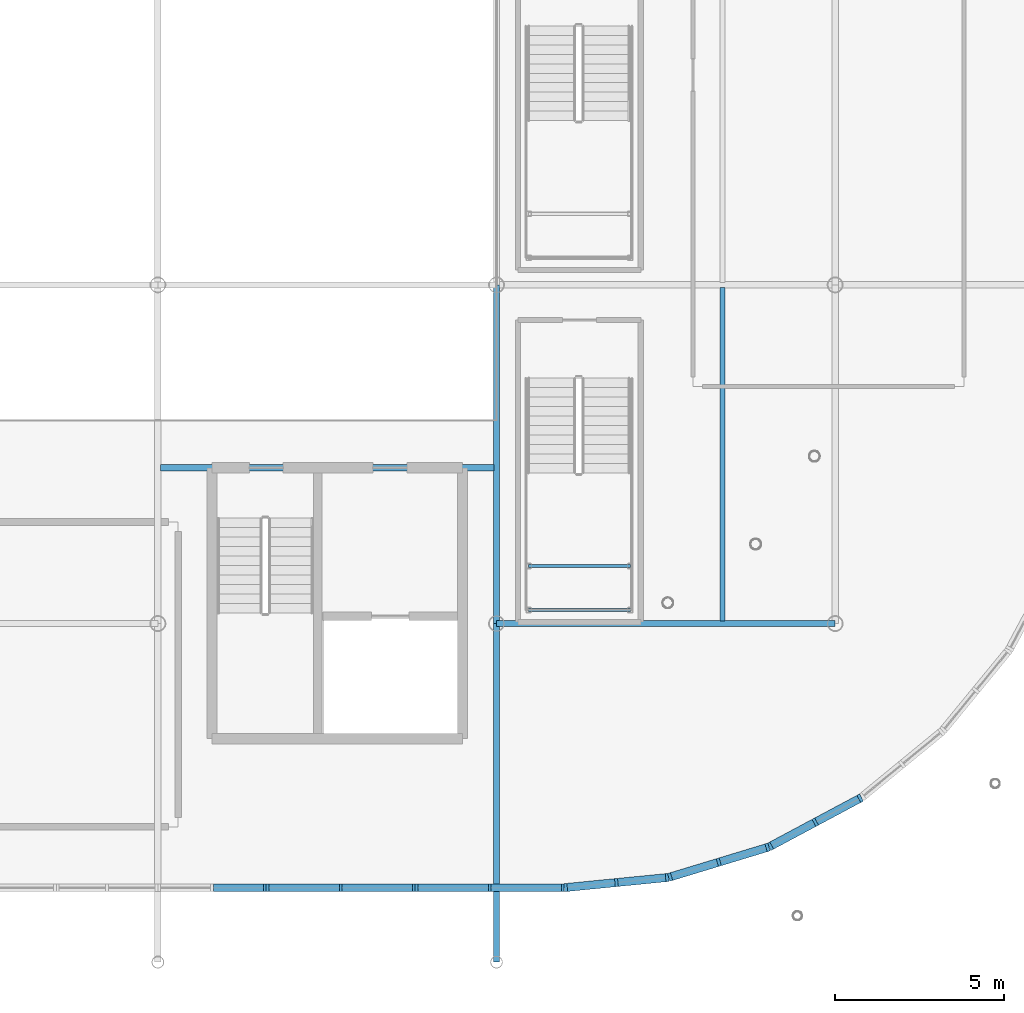
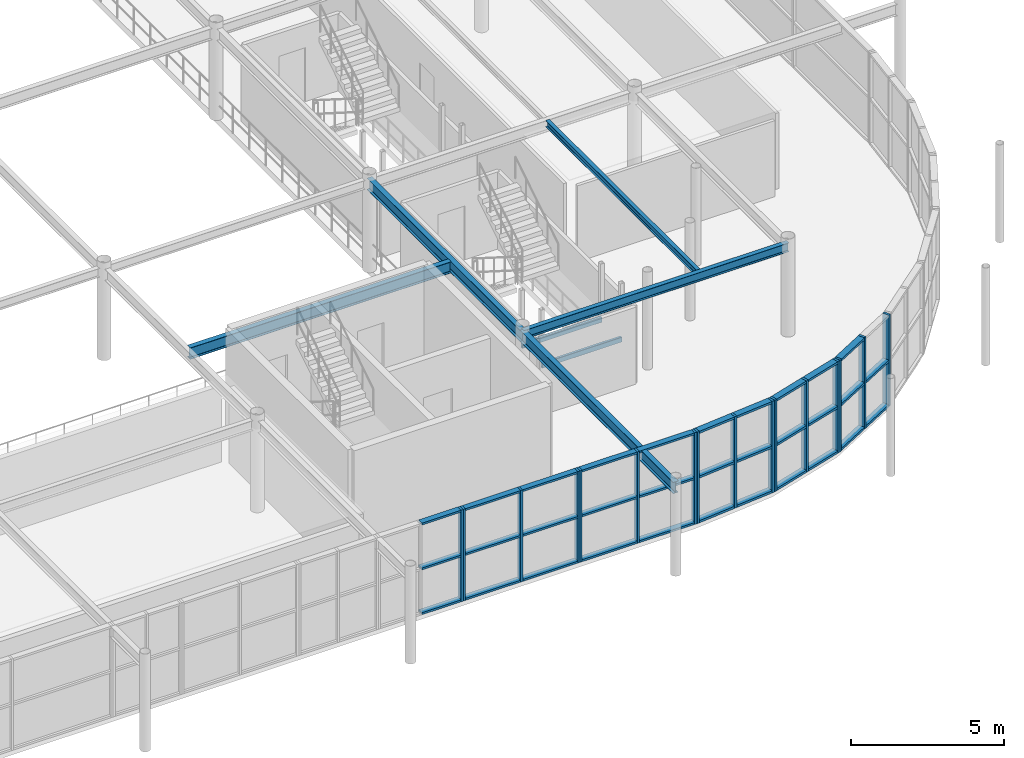
# One storey, part 58 of 98: 48 members, 7 beams, 6 elements without a shape of their own.
"""IFC4 building model written with IfcOpenShell, lengths in metres."""

from ifc_helpers import new_model, si_unit, derived_unit, direction, frame, origin, origin_2d_with_axis, place, context, subcontext, project, spatial, rectangle, hollow_rectangle, i_section, extrude, material, material_profile, profile_set, type_object, element, aggregate, save


model = new_model("IFC4")

# Units and contexts
model_context = context("Model", 3, precision=1e-05, world=origin(), true_north=direction((0.0, 1.0)))
body_context = subcontext(model_context, "Body", "Model", "MODEL_VIEW")
ifc_project = project(units=[si_unit("LENGTHUNIT", "METRE"), si_unit("AREAUNIT", "SQUARE_METRE"), si_unit("VOLUMEUNIT", "CUBIC_METRE"), si_unit("PLANEANGLEUNIT", "RADIAN"), si_unit("MASSUNIT", "GRAM", prefix="KILO"), derived_unit("THERMALTRANSMITTANCEUNIT", [(si_unit("POWERUNIT", "WATT"), 1), (si_unit("LENGTHUNIT", "METRE"), -2), (si_unit("THERMODYNAMICTEMPERATUREUNIT", "KELVIN"), -1)])], contexts=[model_context])

# Site, building, storey
site_placement = place(None, origin())
site = spatial("IfcSite", under=ifc_project, at=site_placement, CompositionType="ELEMENT")
building_placement = place(site_placement, origin())
building = spatial("IfcBuilding", under=site, at=building_placement, Name="Cinnabar Yard Market Hall", CompositionType="ELEMENT")
storey_placement = place(building_placement, frame((0.0, 0.0, 4.5)))
storey = spatial("IfcBuildingStorey", under=building, at=storey_placement, Name="L01", CompositionType="ELEMENT", Elevation=4.5)

# Beams
ifc_material_1 = material(Name="Steel Grade 300 (300 MPa)", Category="steel")
ifc_material_profile_1 = material_profile(ifc_material_1, i_section(OverallWidth=0.18994140625, OverallDepth=0.453857421875, WebThickness=0.008544921875, FlangeThickness=0.0126953125, FilletRadius=0.011474609375, at=origin_2d_with_axis()), Name="460UB67.1")
ifc_profile_set_1 = profile_set([ifc_material_profile_1], Name="Steel Grade 300 (300 MPa)")
beam_type_1 = type_object("IfcBeamType", Name="BM-B05", PredefinedType="BEAM", material=ifc_profile_set_1)
beam_1_placement = place(storey_placement, frame((136.080078125, 28.60009765625, 3.423095703125), z_axis=(1.0, 0.0, 0.0), x_axis=(0.0, 1.0, 0.0)))
element("IfcBeam", 1, at=beam_1_placement, inside=storey, type_object=beam_type_1, Name="L01 Core Trimmer Girder 00142", PredefinedType="BEAM", context=body_context, shape_type="SweptSolid", body=[
    extrude(i_section(OverallWidth=0.18994140625, OverallDepth=0.453857421875, WebThickness=0.008544921875, FlangeThickness=0.0126953125, FilletRadius=0.011474609375, at=origin_2d_with_axis()), origin(), (0.0, 0.0, 1.0), 9.83984375),
])
beam_2_placement = place(storey_placement, frame((146.0, 24.0, 3.423095703125), z_axis=(0.0, 1.0, 0.0), x_axis=(-1.0, 0.0, 0.0)))
element("IfcBeam", 2, at=beam_2_placement, inside=storey, type_object=beam_type_1, Name="L01 Gallery Girder Y 00342", PredefinedType="BEAM", context=body_context, shape_type="SweptSolid", body=[
    extrude(i_section(OverallWidth=0.18994140625, OverallDepth=0.453857421875, WebThickness=0.008544921875, FlangeThickness=0.0126953125, FilletRadius=0.011474609375, at=origin_2d_with_axis()), origin(), (0.0, 0.0, 1.0), 10.0),
])
ifc_material_profile_2 = material_profile(ifc_material_1, i_section(OverallWidth=0.18994140625, OverallDepth=0.453857421875, WebThickness=0.008544921875, FlangeThickness=0.0126953125, FilletRadius=0.011474609375, at=origin_2d_with_axis()), Name="460UB67.1")
ifc_profile_set_2 = profile_set([ifc_material_profile_2], Name="Steel Grade 300 (300 MPa)")
beam_type_2 = type_object("IfcBeamType", Name="BM-B05E", PredefinedType="BEAM", material=ifc_profile_set_2)
beam_3_placement = place(storey_placement, frame((146.0, 24.0, 3.423095703125), z_axis=(0.0, -1.0, 0.0), x_axis=(1.0, 0.0, 0.0)))
element("IfcBeam", 3, at=beam_3_placement, inside=storey, type_object=beam_type_2, Name="L01 Gallery South Tie 00299", PredefinedType="BEAM", context=body_context, shape_type="SweptSolid", body=[
    extrude(i_section(OverallWidth=0.18994140625, OverallDepth=0.453857421875, WebThickness=0.008544921875, FlangeThickness=0.0126953125, FilletRadius=0.011474609375, at=origin_2d_with_axis()), origin(), (0.0, 0.0, 1.0), 10.0),
])
ifc_material_profile_3 = material_profile(ifc_material_1, i_section(OverallWidth=0.1708984375, OverallDepth=0.35205078125, WebThickness=0.0068359375, FlangeThickness=0.009765625, FilletRadius=0.011474609375, at=origin_2d_with_axis()), Name="360UB44.7")
ifc_profile_set_3 = profile_set([ifc_material_profile_3], Name="Steel Grade 300 (300 MPa)")
beam_type_3 = type_object("IfcBeamType", Name="BM-B11", PredefinedType="BEAM", material=ifc_profile_set_3)
beam_4_placement = place(storey_placement, frame((146.0, 24.0, 3.47412109375), z_axis=(1.0, 0.0, 0.0), x_axis=(0.0, 1.0, 0.0)))
element("IfcBeam", 4, at=beam_4_placement, inside=storey, type_object=beam_type_3, Name="L01 Gallery Girder X 00282", PredefinedType="BEAM", context=body_context, shape_type="SweptSolid", body=[
    extrude(i_section(OverallWidth=0.1708984375, OverallDepth=0.35205078125, WebThickness=0.0068359375, FlangeThickness=0.009765625, FilletRadius=0.011474609375, at=origin_2d_with_axis()), origin(), (0.0, 0.0, 1.0), 10.0),
])
ifc_material_profile_4 = material_profile(ifc_material_1, i_section(OverallWidth=0.14599609375, OverallDepth=0.256103515625, WebThickness=0.00634765625, FlangeThickness=0.010986328125, FilletRadius=0.0087890625, at=origin_2d_with_axis()), Name="250UB37.3")
ifc_profile_set_4 = profile_set([ifc_material_profile_4], Name="Steel Grade 300 (300 MPa)")
beam_type_4 = type_object("IfcBeamType", Name="BM-J03", PredefinedType="JOIST", material=ifc_profile_set_4)
beam_5_placement = place(storey_placement, frame((152.669921875, 24.074951171875, 3.52197265625), z_axis=(0.0, 1.0, 0.0), x_axis=(-1.0, 0.0, 0.0)))
element("IfcBeam", 5, at=beam_5_placement, inside=storey, type_object=beam_type_4, Name="L01 Gallery Joist 00343", PredefinedType="JOIST", context=body_context, shape_type="SweptSolid", body=[
    extrude(i_section(OverallWidth=0.14599609375, OverallDepth=0.256103515625, WebThickness=0.00634765625, FlangeThickness=0.010986328125, FilletRadius=0.0087890625, at=origin_2d_with_axis()), origin(), (0.0, 0.0, 1.0), 9.85009765625),
])
ifc_material_2 = material(Name="Cold-formed steel C350L0", Category="steel")
ifc_material_profile_5 = material_profile(ifc_material_2, hollow_rectangle(XDim=0.10009765625, YDim=0.199951171875, WallThickness=0.006103515625, InnerFilletRadius=0.006103515625, OuterFilletRadius=0.011962890625, at=origin_2d_with_axis()), Name="200x100x6.0RHS")
ifc_profile_set_5 = profile_set([ifc_material_profile_5], Name="Cold-formed steel C350L0")
beam_type_5 = type_object("IfcBeamType", Name="BM-LN01", PredefinedType="LINTEL", material=ifc_profile_set_5)
for number, where, z_axis, x_axis, name in (
    (6, (146.949951171875, 24.39990234375, 1.64990234375), (1.0, 0.0, 0.0), (0.0, 1.0, 0.0), "Feature Stair Landing Beam S ST-F5 L01"),
    (7, (146.949951171875, 25.699951171875, 1.64990234375), (1.0, 0.0, 0.0), (0.0, 1.0, 0.0), "Feature Stair Landing Beam N ST-F5 L01"),
):
    element("IfcBeam", number, at=place(storey_placement, frame(where, z_axis=z_axis, x_axis=x_axis)), inside=storey, type_object=beam_type_5, Name=name, PredefinedType="LINTEL", context=body_context, shape_type="SweptSolid", body=[
        extrude(hollow_rectangle(XDim=0.10009765625, YDim=0.199951171875, WallThickness=0.006103515625, InnerFilletRadius=0.006103515625, OuterFilletRadius=0.011962890625, at=origin_2d_with_axis()), origin(), (0.0, 0.0, 1.0), 3.0),
    ])

# Curtain wall, members
ifc_material_3 = material(Name="Anodised bronze aluminium curved-chord facade", Category="aluminium")
curtain_wall_type_1 = type_object("IfcCurtainWallType", Name="CW-CWC031x36", PredefinedType="NOTDEFINED", material=ifc_material_3)
curtain_wall_1_placement = place(storey_placement, origin())
curtain_wall_1 = element("IfcCurtainWall", 8, at=curtain_wall_1_placement, inside=storey, type_object=curtain_wall_type_1, Name="Corner SE Chord 1 L01", PredefinedType="NOTDEFINED")
ifc_material_4 = material(Name="Anodised bronze aluminium", Category="aluminium")
ifc_material_profile_6 = material_profile(ifc_material_4, rectangle(XDim=0.239990234375, YDim=0.090087890625, at=origin_2d_with_axis()), Name="MUL-CWC")
ifc_profile_set_6 = profile_set([ifc_material_profile_6], Name="Anodised bronze aluminium")
member_type_1 = type_object("IfcMemberType", Name="CWM-CWC", PredefinedType="MULLION", material=ifc_profile_set_6)
member_1_placement = place(storey_placement, frame((148.044677734375, 16.204345703125, 0.0), z_axis=(0.0, 0.0, 1.0), x_axis=(-0.098020369342, 0.995184408637, 0.0)))
member_1 = element("IfcMember", 9, at=member_1_placement, type_object=member_type_1, Name="CWC031x36 mullion 1", PredefinedType="MULLION", context=body_context, shape_type="SweptSolid", body=[
    extrude(rectangle(XDim=0.239990234375, YDim=0.090087890625, at=origin_2d_with_axis()), origin(), (0.0, 0.0, 1.0), 3.64990234375),
])
member_2_placement = place(storey_placement, frame((149.541259765625, 16.351806640625, 0.0), z_axis=(0.0, 0.0, 1.0), x_axis=(-0.098020369342, 0.995184408637, 0.0)))
member_2 = element("IfcMember", 10, at=member_2_placement, type_object=member_type_1, Name="CWC031x36 mullion 2", PredefinedType="MULLION", context=body_context, shape_type="SweptSolid", body=[
    extrude(rectangle(XDim=0.239990234375, YDim=0.090087890625, at=origin_2d_with_axis()), origin(), (0.0, 0.0, 1.0), 3.64990234375),
])
member_3_placement = place(storey_placement, frame((151.03759765625, 16.499267578125, 0.0), z_axis=(0.0, 0.0, 1.0), x_axis=(-0.098020369342, 0.995184408637, 0.0)))
member_3 = element("IfcMember", 11, at=member_3_placement, type_object=member_type_1, Name="CWC031x36 mullion 3", PredefinedType="MULLION", context=body_context, shape_type="SweptSolid", body=[
    extrude(rectangle(XDim=0.239990234375, YDim=0.090087890625, at=origin_2d_with_axis()), origin(), (0.0, 0.0, 1.0), 3.64990234375),
])

curtain_wall_2_placement = place(storey_placement, origin())
curtain_wall_2 = element("IfcCurtainWall", 12, at=curtain_wall_2_placement, inside=storey, type_object=curtain_wall_type_1, Name="Corner SE Chord 2 L01", PredefinedType="NOTDEFINED")
member_4_placement = place(storey_placement, frame((151.12548828125, 16.5166015625, 0.0), z_axis=(0.0, 0.0, 1.0), x_axis=(-0.290278891325, 0.956942090856, 0.0)))
member_4 = element("IfcMember", 13, at=member_4_placement, type_object=member_type_1, Name="CWC031x36 mullion 1", PredefinedType="MULLION", context=body_context, shape_type="SweptSolid", body=[
    extrude(rectangle(XDim=0.239990234375, YDim=0.090087890625, at=origin_2d_with_axis()), origin(), (0.0, 0.0, 1.0), 3.64990234375),
])
member_5_placement = place(storey_placement, frame((152.564453125, 16.953125, 0.0), z_axis=(0.0, 0.0, 1.0), x_axis=(-0.290278891325, 0.956942090856, 0.0)))
member_5 = element("IfcMember", 14, at=member_5_placement, type_object=member_type_1, Name="CWC031x36 mullion 2", PredefinedType="MULLION", context=body_context, shape_type="SweptSolid", body=[
    extrude(rectangle(XDim=0.239990234375, YDim=0.090087890625, at=origin_2d_with_axis()), origin(), (0.0, 0.0, 1.0), 3.64990234375),
])
member_6_placement = place(storey_placement, frame((154.00341796875, 17.3896484375, 0.0), z_axis=(0.0, 0.0, 1.0), x_axis=(-0.290278891325, 0.956942090856, 0.0)))
member_6 = element("IfcMember", 15, at=member_6_placement, type_object=member_type_1, Name="CWC031x36 mullion 3", PredefinedType="MULLION", context=body_context, shape_type="SweptSolid", body=[
    extrude(rectangle(XDim=0.239990234375, YDim=0.090087890625, at=origin_2d_with_axis()), origin(), (0.0, 0.0, 1.0), 3.64990234375),
])

curtain_wall_3_placement = place(storey_placement, origin())
curtain_wall_3 = element("IfcCurtainWall", 16, at=curtain_wall_3_placement, inside=storey, type_object=curtain_wall_type_1, Name="Corner SE Chord 3 L01", PredefinedType="NOTDEFINED")
member_7_placement = place(storey_placement, frame((154.086181640625, 17.423828125, 0.0), z_axis=(0.0, 0.0, 1.0), x_axis=(-0.471404114786, 0.881917320707, 0.0)))
member_7 = element("IfcMember", 17, at=member_7_placement, type_object=member_type_1, Name="CWC031x36 mullion 1", PredefinedType="MULLION", context=body_context, shape_type="SweptSolid", body=[
    extrude(rectangle(XDim=0.239990234375, YDim=0.090087890625, at=origin_2d_with_axis()), origin(), (0.0, 0.0, 1.0), 3.64990234375),
])
member_8_placement = place(storey_placement, frame((155.412109375, 18.1328125, 0.0), z_axis=(0.0, 0.0, 1.0), x_axis=(-0.471404114786, 0.881917320707, 0.0)))
member_8 = element("IfcMember", 18, at=member_8_placement, type_object=member_type_1, Name="CWC031x36 mullion 2", PredefinedType="MULLION", context=body_context, shape_type="SweptSolid", body=[
    extrude(rectangle(XDim=0.239990234375, YDim=0.090087890625, at=origin_2d_with_axis()), origin(), (0.0, 0.0, 1.0), 3.64990234375),
])
member_9_placement = place(storey_placement, frame((156.73828125, 18.841552734375, 0.0), z_axis=(0.0, 0.0, 1.0), x_axis=(-0.471404114786, 0.881917320707, 0.0)))
member_9 = element("IfcMember", 19, at=member_9_placement, type_object=member_type_1, Name="CWC031x36 mullion 3", PredefinedType="MULLION", context=body_context, shape_type="SweptSolid", body=[
    extrude(rectangle(XDim=0.239990234375, YDim=0.090087890625, at=origin_2d_with_axis()), origin(), (0.0, 0.0, 1.0), 3.64990234375),
])

# Curtain wall, member
ifc_material_5 = material(Name="Anodised bronze aluminium and low-E glass", Category="aluminium")
curtain_wall_type_2 = type_object("IfcCurtainWallType", Name="CW-CWH032x36", PredefinedType="NOTDEFINED", material=ifc_material_5)
curtain_wall_4_placement = place(storey_placement, origin())
curtain_wall_4 = element("IfcCurtainWall", 20, at=curtain_wall_4_placement, inside=storey, type_object=curtain_wall_type_2, Name="Market Hall South Gallery Glazing B6A", PredefinedType="NOTDEFINED")
ifc_material_profile_7 = material_profile(ifc_material_4, rectangle(XDim=0.219970703125, YDim=0.080078125, at=origin_2d_with_axis()), Name="MUL-CWH")
ifc_profile_set_7 = profile_set([ifc_material_profile_7], Name="Anodised bronze aluminium")
member_type_2 = type_object("IfcMemberType", Name="CWM-CWH", PredefinedType="MULLION", material=ifc_profile_set_7)
member_10_placement = place(storey_placement, frame((139.159912109375, 16.199951171875, 0.0), z_axis=(0.0, 0.0, 1.0), x_axis=(0.0, 1.0, 0.0)))
member_10 = element("IfcMember", 21, at=member_10_placement, type_object=member_type_2, Name="CWH032x36 mullion 3", PredefinedType="MULLION", context=body_context, shape_type="SweptSolid", body=[
    extrude(rectangle(XDim=0.219970703125, YDim=0.080078125, at=origin_2d_with_axis()), origin(), (0.0, 0.0, 1.0), 3.64990234375),
])

# Curtain wall, members
curtain_wall_type_3 = type_object("IfcCurtainWallType", Name="CW-CWH044x36", PredefinedType="NOTDEFINED", material=ifc_material_5)
curtain_wall_5_placement = place(storey_placement, origin())
curtain_wall_5 = element("IfcCurtainWall", 22, at=curtain_wall_5_placement, inside=storey, type_object=curtain_wall_type_3, Name="Market Hall South Gallery Glazing PTE", PredefinedType="NOTDEFINED")
member_11_placement = place(storey_placement, frame((139.239990234375, 16.199951171875, 0.0), z_axis=(0.0, 0.0, 1.0), x_axis=(0.0, 1.0, 0.0)))
member_11 = element("IfcMember", 23, at=member_11_placement, type_object=member_type_2, Name="CWH044x36 mullion 1", PredefinedType="MULLION", context=body_context, shape_type="SweptSolid", body=[
    extrude(rectangle(XDim=0.219970703125, YDim=0.080078125, at=origin_2d_with_axis()), origin(), (0.0, 0.0, 1.0), 3.64990234375),
])
member_12_placement = place(storey_placement, frame((141.39990234375, 16.199951171875, 0.0), z_axis=(0.0, 0.0, 1.0), x_axis=(0.0, 1.0, 0.0)))
member_12 = element("IfcMember", 24, at=member_12_placement, type_object=member_type_2, Name="CWH044x36 mullion 2", PredefinedType="MULLION", context=body_context, shape_type="SweptSolid", body=[
    extrude(rectangle(XDim=0.219970703125, YDim=0.080078125, at=origin_2d_with_axis()), origin(), (0.0, 0.0, 1.0), 3.64990234375),
])
member_13_placement = place(storey_placement, frame((143.56005859375, 16.199951171875, 0.0), z_axis=(0.0, 0.0, 1.0), x_axis=(0.0, 1.0, 0.0)))
member_13 = element("IfcMember", 25, at=member_13_placement, type_object=member_type_2, Name="CWH044x36 mullion 3", PredefinedType="MULLION", context=body_context, shape_type="SweptSolid", body=[
    extrude(rectangle(XDim=0.219970703125, YDim=0.080078125, at=origin_2d_with_axis()), origin(), (0.0, 0.0, 1.0), 3.64990234375),
])

curtain_wall_6_placement = place(storey_placement, origin())
curtain_wall_6 = element("IfcCurtainWall", 26, at=curtain_wall_6_placement, inside=storey, type_object=curtain_wall_type_3, Name="Market Hall South Gallery Glazing B6B", PredefinedType="NOTDEFINED")
member_14_placement = place(storey_placement, frame((143.639892578125, 16.199951171875, 0.0), z_axis=(0.0, 0.0, 1.0), x_axis=(0.0, 1.0, 0.0)))
member_14 = element("IfcMember", 27, at=member_14_placement, type_object=member_type_2, Name="CWH044x36 mullion 1", PredefinedType="MULLION", context=body_context, shape_type="SweptSolid", body=[
    extrude(rectangle(XDim=0.219970703125, YDim=0.080078125, at=origin_2d_with_axis()), origin(), (0.0, 0.0, 1.0), 3.64990234375),
])
member_15_placement = place(storey_placement, frame((145.800048828125, 16.199951171875, 0.0), z_axis=(0.0, 0.0, 1.0), x_axis=(0.0, 1.0, 0.0)))
member_15 = element("IfcMember", 28, at=member_15_placement, type_object=member_type_2, Name="CWH044x36 mullion 2", PredefinedType="MULLION", context=body_context, shape_type="SweptSolid", body=[
    extrude(rectangle(XDim=0.219970703125, YDim=0.080078125, at=origin_2d_with_axis()), origin(), (0.0, 0.0, 1.0), 3.64990234375),
])
member_16_placement = place(storey_placement, frame((147.9599609375, 16.199951171875, 0.0), z_axis=(0.0, 0.0, 1.0), x_axis=(0.0, 1.0, 0.0)))
member_16 = element("IfcMember", 29, at=member_16_placement, type_object=member_type_2, Name="CWH044x36 mullion 3", PredefinedType="MULLION", context=body_context, shape_type="SweptSolid", body=[
    extrude(rectangle(XDim=0.219970703125, YDim=0.080078125, at=origin_2d_with_axis()), origin(), (0.0, 0.0, 1.0), 3.64990234375),
])

# Member
ifc_material_profile_8 = material_profile(ifc_material_4, rectangle(XDim=0.239990234375, YDim=0.090087890625, at=origin_2d_with_axis()), Name="TRN-CWC")
ifc_profile_set_8 = profile_set([ifc_material_profile_8], Name="Anodised bronze aluminium")
member_type_3 = type_object("IfcMemberType", Name="CWT-CWC", PredefinedType="USERDEFINED", material=ifc_profile_set_8)
member_17_placement = place(storey_placement, frame((148.089599609375, 16.208740234375, 0.044921875), z_axis=(0.995176425197, 0.098101390058, 0.0), x_axis=(-0.098101390058, 0.995176425197, 0.0)))
member_17 = element("IfcMember", 30, at=member_17_placement, type_object=member_type_3, Name="CWC031x36 transom 1.1", ObjectType="TRANSOM", PredefinedType="USERDEFINED", context=body_context, shape_type="SweptSolid", body=[
    extrude(rectangle(XDim=0.239990234375, YDim=0.090087890625, at=origin_2d_with_axis()), origin(), (0.0, 0.0, 1.0), 1.41357421875),
])

member_18_placement = place(storey_placement, frame((148.089599609375, 16.208740234375, 1.824951171875), z_axis=(0.995176425197, 0.098101390058, 0.0), x_axis=(-0.098101390058, 0.995176425197, 0.0)))
member_18 = element("IfcMember", 31, at=member_18_placement, type_object=member_type_3, Name="CWC031x36 transom 1.2", ObjectType="TRANSOM", PredefinedType="USERDEFINED", context=body_context, shape_type="SweptSolid", body=[
    extrude(rectangle(XDim=0.239990234375, YDim=0.090087890625, at=origin_2d_with_axis()), origin(), (0.0, 0.0, 1.0), 1.41357421875),
])

member_19_placement = place(storey_placement, frame((148.089599609375, 16.208740234375, 3.60498046875), z_axis=(0.995176425197, 0.098101390058, 0.0), x_axis=(-0.098101390058, 0.995176425197, 0.0)))
member_19 = element("IfcMember", 32, at=member_19_placement, type_object=member_type_3, Name="CWC031x36 transom 1.3", ObjectType="TRANSOM", PredefinedType="USERDEFINED", context=body_context, shape_type="SweptSolid", body=[
    extrude(rectangle(XDim=0.239990234375, YDim=0.090087890625, at=origin_2d_with_axis()), origin(), (0.0, 0.0, 1.0), 1.41357421875),
])

member_20_placement = place(storey_placement, frame((149.5859375, 16.356201171875, 0.044921875), z_axis=(0.995178086946, 0.098084531214, 0.0), x_axis=(-0.098084531214, 0.995178086946, 0.0)))
member_20 = element("IfcMember", 33, at=member_20_placement, type_object=member_type_3, Name="CWC031x36 transom 2.1", ObjectType="TRANSOM", PredefinedType="USERDEFINED", context=body_context, shape_type="SweptSolid", body=[
    extrude(rectangle(XDim=0.239990234375, YDim=0.090087890625, at=origin_2d_with_axis()), origin(), (0.0, 0.0, 1.0), 1.413818359375),
])

member_21_placement = place(storey_placement, frame((149.5859375, 16.356201171875, 1.824951171875), z_axis=(0.995178086946, 0.098084531214, 0.0), x_axis=(-0.098084531214, 0.995178086946, 0.0)))
member_21 = element("IfcMember", 34, at=member_21_placement, type_object=member_type_3, Name="CWC031x36 transom 2.2", ObjectType="TRANSOM", PredefinedType="USERDEFINED", context=body_context, shape_type="SweptSolid", body=[
    extrude(rectangle(XDim=0.239990234375, YDim=0.090087890625, at=origin_2d_with_axis()), origin(), (0.0, 0.0, 1.0), 1.413818359375),
])

member_22_placement = place(storey_placement, frame((149.5859375, 16.356201171875, 3.60498046875), z_axis=(0.995178086946, 0.098084531214, 0.0), x_axis=(-0.098084531214, 0.995178086946, 0.0)))
member_22 = element("IfcMember", 35, at=member_22_placement, type_object=member_type_3, Name="CWC031x36 transom 2.3", ObjectType="TRANSOM", PredefinedType="USERDEFINED", context=body_context, shape_type="SweptSolid", body=[
    extrude(rectangle(XDim=0.239990234375, YDim=0.090087890625, at=origin_2d_with_axis()), origin(), (0.0, 0.0, 1.0), 1.413818359375),
])

aggregate(curtain_wall_1, [member_1, member_2, member_3, member_17, member_18, member_19, member_20, member_21, member_22])

member_23_placement = place(storey_placement, frame((151.16845703125, 16.52978515625, 0.044921875), z_axis=(0.956932850279, 0.290309352341, 0.0), x_axis=(-0.290309352341, 0.956932850279, 0.0)))
member_23 = element("IfcMember", 36, at=member_23_placement, type_object=member_type_3, Name="CWC031x36 transom 1.1", ObjectType="TRANSOM", PredefinedType="USERDEFINED", context=body_context, shape_type="SweptSolid", body=[
    extrude(rectangle(XDim=0.239990234375, YDim=0.090087890625, at=origin_2d_with_axis()), origin(), (0.0, 0.0, 1.0), 1.41357421875),
])

member_24_placement = place(storey_placement, frame((151.16845703125, 16.52978515625, 1.824951171875), z_axis=(0.956932850279, 0.290309352341, 0.0), x_axis=(-0.290309352341, 0.956932850279, 0.0)))
member_24 = element("IfcMember", 37, at=member_24_placement, type_object=member_type_3, Name="CWC031x36 transom 1.2", ObjectType="TRANSOM", PredefinedType="USERDEFINED", context=body_context, shape_type="SweptSolid", body=[
    extrude(rectangle(XDim=0.239990234375, YDim=0.090087890625, at=origin_2d_with_axis()), origin(), (0.0, 0.0, 1.0), 1.41357421875),
])

member_25_placement = place(storey_placement, frame((151.16845703125, 16.52978515625, 3.60498046875), z_axis=(0.956932850279, 0.290309352341, 0.0), x_axis=(-0.290309352341, 0.956932850279, 0.0)))
member_25 = element("IfcMember", 38, at=member_25_placement, type_object=member_type_3, Name="CWC031x36 transom 1.3", ObjectType="TRANSOM", PredefinedType="USERDEFINED", context=body_context, shape_type="SweptSolid", body=[
    extrude(rectangle(XDim=0.239990234375, YDim=0.090087890625, at=origin_2d_with_axis()), origin(), (0.0, 0.0, 1.0), 1.41357421875),
])

member_26_placement = place(storey_placement, frame((152.607421875, 16.96630859375, 0.044921875), z_axis=(0.956980816915, 0.290151195166, 0.0), x_axis=(-0.290151195166, 0.956980816915, 0.0)))
member_26 = element("IfcMember", 39, at=member_26_placement, type_object=member_type_3, Name="CWC031x36 transom 2.1", ObjectType="TRANSOM", PredefinedType="USERDEFINED", context=body_context, shape_type="SweptSolid", body=[
    extrude(rectangle(XDim=0.239990234375, YDim=0.090087890625, at=origin_2d_with_axis()), origin(), (0.0, 0.0, 1.0), 1.41357421875),
])

member_27_placement = place(storey_placement, frame((152.607421875, 16.96630859375, 1.824951171875), z_axis=(0.956980816915, 0.290151195166, 0.0), x_axis=(-0.290151195166, 0.956980816915, 0.0)))
member_27 = element("IfcMember", 40, at=member_27_placement, type_object=member_type_3, Name="CWC031x36 transom 2.2", ObjectType="TRANSOM", PredefinedType="USERDEFINED", context=body_context, shape_type="SweptSolid", body=[
    extrude(rectangle(XDim=0.239990234375, YDim=0.090087890625, at=origin_2d_with_axis()), origin(), (0.0, 0.0, 1.0), 1.41357421875),
])

member_28_placement = place(storey_placement, frame((152.607421875, 16.96630859375, 3.60498046875), z_axis=(0.956980816915, 0.290151195166, 0.0), x_axis=(-0.290151195166, 0.956980816915, 0.0)))
member_28 = element("IfcMember", 41, at=member_28_placement, type_object=member_type_3, Name="CWC031x36 transom 2.3", ObjectType="TRANSOM", PredefinedType="USERDEFINED", context=body_context, shape_type="SweptSolid", body=[
    extrude(rectangle(XDim=0.239990234375, YDim=0.090087890625, at=origin_2d_with_axis()), origin(), (0.0, 0.0, 1.0), 1.41357421875),
])

aggregate(curtain_wall_2, [member_4, member_5, member_6, member_23, member_24, member_25, member_26, member_27, member_28])

member_29_placement = place(storey_placement, frame((154.125732421875, 17.445068359375, 0.044921875), z_axis=(0.881903198965, 0.471430533224, 0.0), x_axis=(-0.471430533224, 0.881903198965, 0.0)))
member_29 = element("IfcMember", 42, at=member_29_placement, type_object=member_type_3, Name="CWC031x36 transom 1.1", ObjectType="TRANSOM", PredefinedType="USERDEFINED", context=body_context, shape_type="SweptSolid", body=[
    extrude(rectangle(XDim=0.239990234375, YDim=0.090087890625, at=origin_2d_with_axis()), origin(), (0.0, 0.0, 1.0), 1.413818359375),
])

member_30_placement = place(storey_placement, frame((154.125732421875, 17.445068359375, 1.824951171875), z_axis=(0.881903198965, 0.471430533224, 0.0), x_axis=(-0.471430533224, 0.881903198965, 0.0)))
member_30 = element("IfcMember", 43, at=member_30_placement, type_object=member_type_3, Name="CWC031x36 transom 1.2", ObjectType="TRANSOM", PredefinedType="USERDEFINED", context=body_context, shape_type="SweptSolid", body=[
    extrude(rectangle(XDim=0.239990234375, YDim=0.090087890625, at=origin_2d_with_axis()), origin(), (0.0, 0.0, 1.0), 1.413818359375),
])

member_31_placement = place(storey_placement, frame((154.125732421875, 17.445068359375, 3.60498046875), z_axis=(0.881903198965, 0.471430533224, 0.0), x_axis=(-0.471430533224, 0.881903198965, 0.0)))
member_31 = element("IfcMember", 44, at=member_31_placement, type_object=member_type_3, Name="CWC031x36 transom 1.3", ObjectType="TRANSOM", PredefinedType="USERDEFINED", context=body_context, shape_type="SweptSolid", body=[
    extrude(rectangle(XDim=0.239990234375, YDim=0.090087890625, at=origin_2d_with_axis()), origin(), (0.0, 0.0, 1.0), 1.413818359375),
])

member_32_placement = place(storey_placement, frame((155.451904296875, 18.154052734375, 0.044921875), z_axis=(0.881974989496, 0.471296210365, 0.0), x_axis=(-0.471296210365, 0.881974989496, 0.0)))
member_32 = element("IfcMember", 45, at=member_32_placement, type_object=member_type_3, Name="CWC031x36 transom 2.1", ObjectType="TRANSOM", PredefinedType="USERDEFINED", context=body_context, shape_type="SweptSolid", body=[
    extrude(rectangle(XDim=0.239990234375, YDim=0.090087890625, at=origin_2d_with_axis()), origin(), (0.0, 0.0, 1.0), 1.41357421875),
])

member_33_placement = place(storey_placement, frame((155.451904296875, 18.154052734375, 1.824951171875), z_axis=(0.881974989496, 0.471296210365, 0.0), x_axis=(-0.471296210365, 0.881974989496, 0.0)))
member_33 = element("IfcMember", 46, at=member_33_placement, type_object=member_type_3, Name="CWC031x36 transom 2.2", ObjectType="TRANSOM", PredefinedType="USERDEFINED", context=body_context, shape_type="SweptSolid", body=[
    extrude(rectangle(XDim=0.239990234375, YDim=0.090087890625, at=origin_2d_with_axis()), origin(), (0.0, 0.0, 1.0), 1.41357421875),
])

aggregate(curtain_wall_3, [member_7, member_8, member_9, member_29, member_30, member_31, member_32, member_33])

ifc_material_profile_9 = material_profile(ifc_material_4, rectangle(XDim=0.219970703125, YDim=0.080078125, at=origin_2d_with_axis()), Name="TRN-CWH")
ifc_profile_set_9 = profile_set([ifc_material_profile_9], Name="Anodised bronze aluminium")
member_type_4 = type_object("IfcMemberType", Name="CWT-CWH", PredefinedType="USERDEFINED", material=ifc_profile_set_9)
member_34_placement = place(storey_placement, frame((137.639892578125, 16.199951171875, 0.0400390625), z_axis=(1.0, 0.0, 0.0), x_axis=(0.0, 1.0, 0.0)))
member_34 = element("IfcMember", 47, at=member_34_placement, type_object=member_type_4, Name="CWH032x36 transom 2.1", ObjectType="TRANSOM", PredefinedType="USERDEFINED", context=body_context, shape_type="SweptSolid", body=[
    extrude(rectangle(XDim=0.219970703125, YDim=0.080078125, at=origin_2d_with_axis()), origin(), (0.0, 0.0, 1.0), 1.480224609375),
])

member_35_placement = place(storey_placement, frame((137.639892578125, 16.199951171875, 1.824951171875), z_axis=(1.0, 0.0, 0.0), x_axis=(0.0, 1.0, 0.0)))
member_35 = element("IfcMember", 48, at=member_35_placement, type_object=member_type_4, Name="CWH032x36 transom 2.2", ObjectType="TRANSOM", PredefinedType="USERDEFINED", context=body_context, shape_type="SweptSolid", body=[
    extrude(rectangle(XDim=0.219970703125, YDim=0.080078125, at=origin_2d_with_axis()), origin(), (0.0, 0.0, 1.0), 1.480224609375),
])

member_36_placement = place(storey_placement, frame((137.639892578125, 16.199951171875, 3.610107421875), z_axis=(1.0, 0.0, 0.0), x_axis=(0.0, 1.0, 0.0)))
member_36 = element("IfcMember", 49, at=member_36_placement, type_object=member_type_4, Name="CWH032x36 transom 2.3", ObjectType="TRANSOM", PredefinedType="USERDEFINED", context=body_context, shape_type="SweptSolid", body=[
    extrude(rectangle(XDim=0.219970703125, YDim=0.080078125, at=origin_2d_with_axis()), origin(), (0.0, 0.0, 1.0), 1.480224609375),
])

aggregate(curtain_wall_4, [member_10, member_34, member_35, member_36])

member_37_placement = place(storey_placement, frame((139.280029296875, 16.199951171875, 0.0400390625), z_axis=(1.0, 0.0, 0.0), x_axis=(0.0, 1.0, 0.0)))
member_37 = element("IfcMember", 50, at=member_37_placement, type_object=member_type_4, Name="CWH044x36 transom 1.1", ObjectType="TRANSOM", PredefinedType="USERDEFINED", context=body_context, shape_type="SweptSolid", body=[
    extrude(rectangle(XDim=0.219970703125, YDim=0.080078125, at=origin_2d_with_axis()), origin(), (0.0, 0.0, 1.0), 2.080078125),
])

member_38_placement = place(storey_placement, frame((139.280029296875, 16.199951171875, 1.824951171875), z_axis=(1.0, 0.0, 0.0), x_axis=(0.0, 1.0, 0.0)))
member_38 = element("IfcMember", 51, at=member_38_placement, type_object=member_type_4, Name="CWH044x36 transom 1.2", ObjectType="TRANSOM", PredefinedType="USERDEFINED", context=body_context, shape_type="SweptSolid", body=[
    extrude(rectangle(XDim=0.219970703125, YDim=0.080078125, at=origin_2d_with_axis()), origin(), (0.0, 0.0, 1.0), 2.080078125),
])

member_39_placement = place(storey_placement, frame((139.280029296875, 16.199951171875, 3.610107421875), z_axis=(1.0, 0.0, 0.0), x_axis=(0.0, 1.0, 0.0)))
member_39 = element("IfcMember", 52, at=member_39_placement, type_object=member_type_4, Name="CWH044x36 transom 1.3", ObjectType="TRANSOM", PredefinedType="USERDEFINED", context=body_context, shape_type="SweptSolid", body=[
    extrude(rectangle(XDim=0.219970703125, YDim=0.080078125, at=origin_2d_with_axis()), origin(), (0.0, 0.0, 1.0), 2.080078125),
])

member_40_placement = place(storey_placement, frame((141.43994140625, 16.199951171875, 0.0400390625), z_axis=(1.0, 0.0, 0.0), x_axis=(0.0, 1.0, 0.0)))
member_40 = element("IfcMember", 53, at=member_40_placement, type_object=member_type_4, Name="CWH044x36 transom 2.1", ObjectType="TRANSOM", PredefinedType="USERDEFINED", context=body_context, shape_type="SweptSolid", body=[
    extrude(rectangle(XDim=0.219970703125, YDim=0.080078125, at=origin_2d_with_axis()), origin(), (0.0, 0.0, 1.0), 2.080078125),
])

member_41_placement = place(storey_placement, frame((141.43994140625, 16.199951171875, 1.824951171875), z_axis=(1.0, 0.0, 0.0), x_axis=(0.0, 1.0, 0.0)))
member_41 = element("IfcMember", 54, at=member_41_placement, type_object=member_type_4, Name="CWH044x36 transom 2.2", ObjectType="TRANSOM", PredefinedType="USERDEFINED", context=body_context, shape_type="SweptSolid", body=[
    extrude(rectangle(XDim=0.219970703125, YDim=0.080078125, at=origin_2d_with_axis()), origin(), (0.0, 0.0, 1.0), 2.080078125),
])

member_42_placement = place(storey_placement, frame((141.43994140625, 16.199951171875, 3.610107421875), z_axis=(1.0, 0.0, 0.0), x_axis=(0.0, 1.0, 0.0)))
member_42 = element("IfcMember", 55, at=member_42_placement, type_object=member_type_4, Name="CWH044x36 transom 2.3", ObjectType="TRANSOM", PredefinedType="USERDEFINED", context=body_context, shape_type="SweptSolid", body=[
    extrude(rectangle(XDim=0.219970703125, YDim=0.080078125, at=origin_2d_with_axis()), origin(), (0.0, 0.0, 1.0), 2.080078125),
])

aggregate(curtain_wall_5, [member_11, member_12, member_13, member_37, member_38, member_39, member_40, member_41, member_42])

member_43_placement = place(storey_placement, frame((143.679931640625, 16.199951171875, 0.0400390625), z_axis=(1.0, 0.0, 0.0), x_axis=(0.0, 1.0, 0.0)))
member_43 = element("IfcMember", 56, at=member_43_placement, type_object=member_type_4, Name="CWH044x36 transom 1.1", ObjectType="TRANSOM", PredefinedType="USERDEFINED", context=body_context, shape_type="SweptSolid", body=[
    extrude(rectangle(XDim=0.219970703125, YDim=0.080078125, at=origin_2d_with_axis()), origin(), (0.0, 0.0, 1.0), 2.080078125),
])

member_44_placement = place(storey_placement, frame((143.679931640625, 16.199951171875, 1.824951171875), z_axis=(1.0, 0.0, 0.0), x_axis=(0.0, 1.0, 0.0)))
member_44 = element("IfcMember", 57, at=member_44_placement, type_object=member_type_4, Name="CWH044x36 transom 1.2", ObjectType="TRANSOM", PredefinedType="USERDEFINED", context=body_context, shape_type="SweptSolid", body=[
    extrude(rectangle(XDim=0.219970703125, YDim=0.080078125, at=origin_2d_with_axis()), origin(), (0.0, 0.0, 1.0), 2.080078125),
])

member_45_placement = place(storey_placement, frame((143.679931640625, 16.199951171875, 3.610107421875), z_axis=(1.0, 0.0, 0.0), x_axis=(0.0, 1.0, 0.0)))
member_45 = element("IfcMember", 58, at=member_45_placement, type_object=member_type_4, Name="CWH044x36 transom 1.3", ObjectType="TRANSOM", PredefinedType="USERDEFINED", context=body_context, shape_type="SweptSolid", body=[
    extrude(rectangle(XDim=0.219970703125, YDim=0.080078125, at=origin_2d_with_axis()), origin(), (0.0, 0.0, 1.0), 2.080078125),
])

member_46_placement = place(storey_placement, frame((145.840087890625, 16.199951171875, 0.0400390625), z_axis=(1.0, 0.0, 0.0), x_axis=(0.0, 1.0, 0.0)))
member_46 = element("IfcMember", 59, at=member_46_placement, type_object=member_type_4, Name="CWH044x36 transom 2.1", ObjectType="TRANSOM", PredefinedType="USERDEFINED", context=body_context, shape_type="SweptSolid", body=[
    extrude(rectangle(XDim=0.219970703125, YDim=0.080078125, at=origin_2d_with_axis()), origin(), (0.0, 0.0, 1.0), 2.079833984375),
])

member_47_placement = place(storey_placement, frame((145.840087890625, 16.199951171875, 1.824951171875), z_axis=(1.0, 0.0, 0.0), x_axis=(0.0, 1.0, 0.0)))
member_47 = element("IfcMember", 60, at=member_47_placement, type_object=member_type_4, Name="CWH044x36 transom 2.2", ObjectType="TRANSOM", PredefinedType="USERDEFINED", context=body_context, shape_type="SweptSolid", body=[
    extrude(rectangle(XDim=0.219970703125, YDim=0.080078125, at=origin_2d_with_axis()), origin(), (0.0, 0.0, 1.0), 2.079833984375),
])

member_48_placement = place(storey_placement, frame((145.840087890625, 16.199951171875, 3.610107421875), z_axis=(1.0, 0.0, 0.0), x_axis=(0.0, 1.0, 0.0)))
member_48 = element("IfcMember", 61, at=member_48_placement, type_object=member_type_4, Name="CWH044x36 transom 2.3", ObjectType="TRANSOM", PredefinedType="USERDEFINED", context=body_context, shape_type="SweptSolid", body=[
    extrude(rectangle(XDim=0.219970703125, YDim=0.080078125, at=origin_2d_with_axis()), origin(), (0.0, 0.0, 1.0), 2.079833984375),
])

aggregate(curtain_wall_6, [member_14, member_15, member_16, member_43, member_44, member_45, member_46, member_47, member_48])

save(model, "model.ifc")
